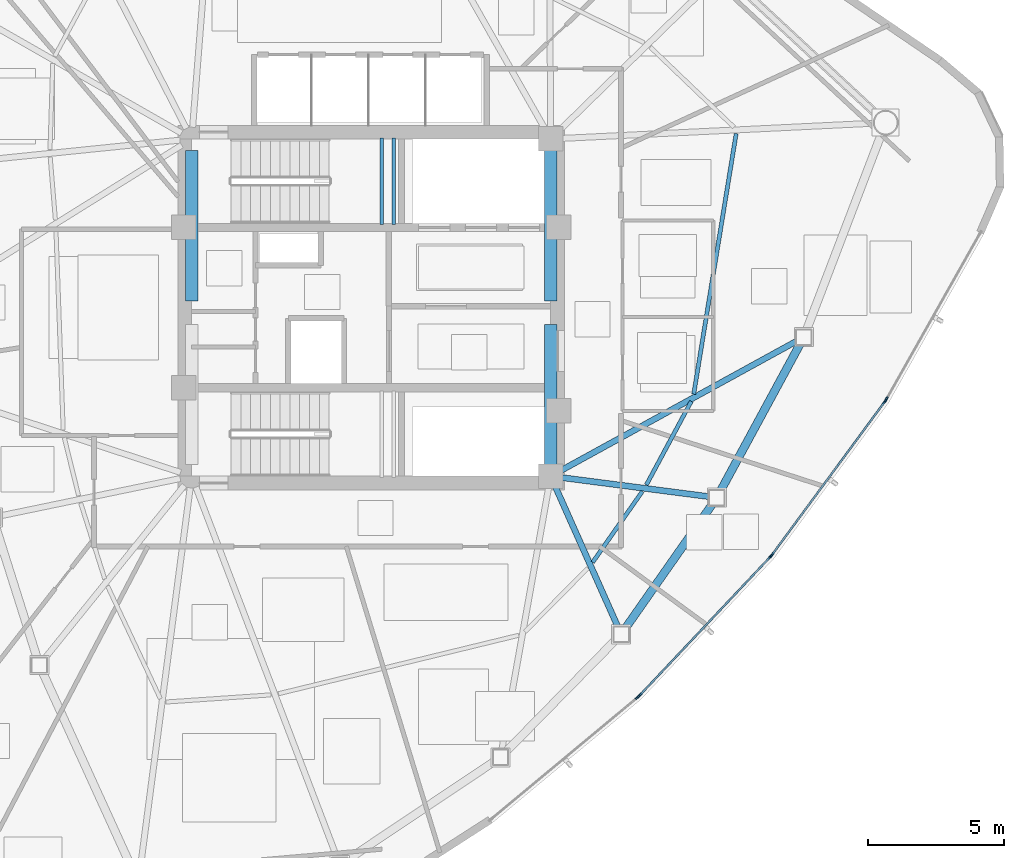
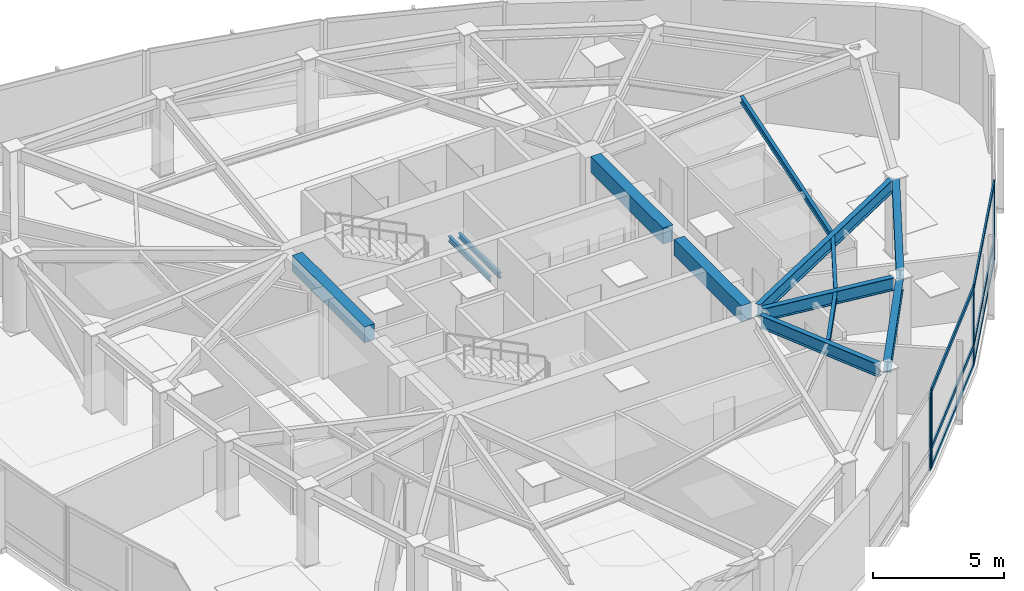
# One storey, part 5 of 15: 13 beams, 12 members, 4 elements without a shape of their own.
"""IFC4 building model written with IfcOpenShell, lengths in metres."""

from ifc_helpers import new_model, si_unit, direction, frame, origin, origin_2d, place, context, subcontext, project, spatial, rectangle, hollow_rectangle, i_section, extrude, source, transform, mapped, material, layer, layer_set, material_profile, profile_set, type_object, type_shapes, element, aggregate, save


model = new_model("IFC4")

# Units and contexts
model_context = context("Model", 3, precision=1e-05, world=origin(), true_north=direction((0.0, 1.0)))
body_context = subcontext(model_context, "Body", "Model", "MODEL_VIEW")
ifc_project = project(units=[si_unit("LENGTHUNIT", "METRE"), si_unit("AREAUNIT", "SQUARE_METRE"), si_unit("VOLUMEUNIT", "CUBIC_METRE"), si_unit("PLANEANGLEUNIT", "RADIAN"), si_unit("MASSUNIT", "GRAM", prefix="KILO")], contexts=[model_context])

# Site, building, storey
site_placement = place(None, origin())
site = spatial("IfcSite", under=ifc_project, at=site_placement, CompositionType="ELEMENT")
building_placement = place(site_placement, origin())
building = spatial("IfcBuilding", under=site, at=building_placement, Name="Tavelor Broadcast Tower", CompositionType="ELEMENT")
storey_placement = place(building_placement, frame((0.0, 0.0, 222.14990234375)))
storey = spatial("IfcBuildingStorey", under=building, at=storey_placement, Name="L52", CompositionType="ELEMENT", Elevation=222.14990234375)

# Beams
ifc_material_1 = material(Name="Concrete C40/50", Category="concrete")
ifc_material_profile_1 = material_profile(ifc_material_1, rectangle(XDim=0.449951171875, YDim=0.75, at=origin_2d()), Name="RC 450x750")
ifc_profile_set_1 = profile_set([ifc_material_profile_1], Name="Concrete C40/50")
beam_type_1 = type_object("IfcBeamType", Name="Basement Core Trim Beam 450x750", PredefinedType="BEAM", material=ifc_profile_set_1)
for number, where, z_axis, x_axis, name in (
    (1, (43.39990234375, 45.23193359375, 3.275146484375), (0.0, 1.0, 0.0), (-1.0, 0.0, 0.0), "L52 Core West-N Tie Girder"),
    (2, (56.60009765625, 45.23193359375, 3.275146484375), (0.0, 1.0, 0.0), (-1.0, 0.0, 0.0), "L52 Core East-N Tie Girder"),
):
    element("IfcBeam", number, at=place(storey_placement, frame(where, z_axis=z_axis, x_axis=x_axis)), inside=storey, type_object=beam_type_1, Name=name, PredefinedType="BEAM", context=body_context, shape_type="SweptSolid", body=[
        extrude(rectangle(XDim=0.449951171875, YDim=0.75, at=origin_2d()), origin(), (0.0, 0.0, 1.0), 5.5361328125),
    ])
beam_1_placement = place(storey_placement, frame((56.60009765625, 39.23193359375, 3.275146484375), z_axis=(0.0, 1.0, 0.0), x_axis=(-1.0, 0.0, 0.0)))
element("IfcBeam", 3, at=beam_1_placement, inside=storey, type_object=beam_type_1, Name="L52 Core East-S Tie Girder", PredefinedType="BEAM", context=body_context, shape_type="SweptSolid", body=[
    extrude(rectangle(XDim=0.449951171875, YDim=0.75, at=origin_2d()), origin(), (0.0, 0.0, 1.0), 5.135986328125),
])
ifc_material_2 = material(Name="Steel S355", Category="steel")
ifc_material_profile_2 = material_profile(ifc_material_2, i_section(OverallWidth=0.14990234375, OverallDepth=0.300048828125, WebThickness=0.007080078125, FlangeThickness=0.0107421875, at=origin_2d()), Name="IPE 300")
ifc_profile_set_2 = profile_set([ifc_material_profile_2], Name="Steel S355")
beam_type_2 = type_object("IfcBeamType", Name="Composite Floor Joist T5 IPE 300", PredefinedType="JOIST", material=ifc_profile_set_2)
beam_2_placement = place(storey_placement, frame((58.1435546875, 35.632568359375, 3.5), z_axis=(0.573982104788, 0.81886784244, 0.0), x_axis=(-0.81886784244, 0.573982104788, 0.0)))
element("IfcBeam", 4, at=beam_2_placement, inside=storey, type_object=beam_type_2, Name="L52 Secondary Composite Floor Joist 10", PredefinedType="JOIST", context=body_context, shape_type="SweptSolid", body=[
    extrude(i_section(OverallWidth=0.14990234375, OverallDepth=0.300048828125, WebThickness=0.007080078125, FlangeThickness=0.0107421875, at=origin_2d()), origin(), (0.0, 0.0, 1.0), 3.183349609375),
])
beam_3_placement = place(storey_placement, frame((60.11669921875, 38.476318359375, 3.5), z_axis=(0.473687126384, 0.880693196464, 0.0), x_axis=(-0.880693196464, 0.473687126384, 0.0)))
element("IfcBeam", 5, at=beam_3_placement, inside=storey, type_object=beam_type_2, Name="L52 Secondary Composite Floor Joist 11", PredefinedType="JOIST", context=body_context, shape_type="SweptSolid", body=[
    extrude(i_section(OverallWidth=0.14990234375, OverallDepth=0.300048828125, WebThickness=0.007080078125, FlangeThickness=0.0107421875, at=origin_2d()), origin(), (0.0, 0.0, 1.0), 3.492919921875),
])
beam_4_placement = place(storey_placement, frame((61.859619140625, 41.812744140625, 3.5), z_axis=(0.160809479217, 0.986985466658, 0.0), x_axis=(-0.986985466658, 0.160809479217, 0.0)))
element("IfcBeam", 6, at=beam_4_placement, inside=storey, type_object=beam_type_2, Name="L52 Secondary Composite Floor Joist 12", PredefinedType="JOIST", context=body_context, shape_type="SweptSolid", body=[
    extrude(i_section(OverallWidth=0.14990234375, OverallDepth=0.300048828125, WebThickness=0.007080078125, FlangeThickness=0.0107421875, at=origin_2d()), origin(), (0.0, 0.0, 1.0), 9.708984375),
])
ifc_material_profile_3 = material_profile(ifc_material_2, i_section(OverallWidth=0.300048828125, OverallDepth=0.489990234375, WebThickness=0.011962890625, FlangeThickness=0.02294921875, at=origin_2d()), Name="HEA 500")
ifc_profile_set_3 = profile_set([ifc_material_profile_3], Name="Steel S355")
beam_type_3 = type_object("IfcBeamType", Name="Perimeter Spandrel Beam T5 HEA 500", PredefinedType="SPANDREL", material=ifc_profile_set_3)
beam_5_placement = place(storey_placement, frame((59.357666015625, 33.222900390625, 3.405029296875), z_axis=(0.573798498873, 0.818996509572, 0.0), x_axis=(-0.818996509572, 0.573798498873, 0.0)))
element("IfcBeam", 7, at=beam_5_placement, inside=storey, type_object=beam_type_3, Name="L52 Framed-Tube Ring Spandrel 10", PredefinedType="SPANDREL", context=body_context, shape_type="SweptSolid", body=[
    extrude(i_section(OverallWidth=0.300048828125, OverallDepth=0.489990234375, WebThickness=0.011962890625, FlangeThickness=0.02294921875, at=origin_2d()), origin(), (0.0, 0.0, 1.0), 5.555908203125),
])
beam_6_placement = place(storey_placement, frame((62.84814453125, 38.26220703125, 3.405029296875), z_axis=(0.476295969148, 0.879285021921, 0.0), x_axis=(-0.879285021921, 0.476295969148, 0.0)))
element("IfcBeam", 8, at=beam_6_placement, inside=storey, type_object=beam_type_3, Name="L52 Framed-Tube Ring Spandrel 11", PredefinedType="SPANDREL", context=body_context, shape_type="SweptSolid", body=[
    extrude(i_section(OverallWidth=0.300048828125, OverallDepth=0.489990234375, WebThickness=0.011962890625, FlangeThickness=0.02294921875, at=origin_2d()), origin(), (0.0, 0.0, 1.0), 6.134521484375),
])
ifc_material_profile_4 = material_profile(ifc_material_2, i_section(OverallWidth=0.219970703125, OverallDepth=0.60009765625, WebThickness=0.011962890625, FlangeThickness=0.01904296875, at=origin_2d()), Name="IPE 600")
ifc_profile_set_4 = profile_set([ifc_material_profile_4], Name="Steel S355")
beam_type_4 = type_object("IfcBeamType", Name="Radial Floor Girder T5 IPE 600", PredefinedType="BEAM", material=ifc_profile_set_4)
beam_7_placement = place(storey_placement, frame((56.77587890625, 38.405517578125, 3.35009765625), z_axis=(0.407317885502, -0.913286450217, 0.0), x_axis=(0.913286450217, 0.407317885502, 0.0)))
element("IfcBeam", 9, at=beam_7_placement, inside=storey, type_object=beam_type_4, Name="L52 Radial Primary Floor Girder 10", PredefinedType="BEAM", context=body_context, shape_type="SweptSolid", body=[
    extrude(i_section(OverallWidth=0.219970703125, OverallDepth=0.60009765625, WebThickness=0.011962890625, FlangeThickness=0.01904296875, at=origin_2d()), origin(), (0.0, 0.0, 1.0), 5.64501953125),
])
beam_8_placement = place(storey_placement, frame((57.0283203125, 38.74462890625, 3.35009765625), z_axis=(0.991728752797, -0.12835139608, 0.0), x_axis=(0.12835139608, 0.991728752797, 0.0)))
element("IfcBeam", 10, at=beam_8_placement, inside=storey, type_object=beam_type_4, Name="L52 Radial Primary Floor Girder 11", PredefinedType="BEAM", context=body_context, shape_type="SweptSolid", body=[
    extrude(i_section(OverallWidth=0.219970703125, OverallDepth=0.60009765625, WebThickness=0.011962890625, FlangeThickness=0.01904296875, at=origin_2d()), origin(), (0.0, 0.0, 1.0), 5.44189453125),
])
beam_9_placement = place(storey_placement, frame((56.978759765625, 39.0078125, 3.35009765625), z_axis=(0.876594261461, 0.481230195201, 0.0), x_axis=(-0.481230195201, 0.876594261461, 0.0)))
element("IfcBeam", 11, at=beam_9_placement, inside=storey, type_object=beam_type_4, Name="L52 Radial Primary Floor Girder 12", PredefinedType="BEAM", context=body_context, shape_type="SweptSolid", body=[
    extrude(i_section(OverallWidth=0.219970703125, OverallDepth=0.60009765625, WebThickness=0.011962890625, FlangeThickness=0.01904296875, at=origin_2d()), origin(), (0.0, 0.0, 1.0), 9.8974609375),
])
ifc_material_profile_5 = material_profile(ifc_material_2, i_section(OverallWidth=0.1201171875, OverallDepth=0.239990234375, WebThickness=0.006103515625, FlangeThickness=0.009765625, at=origin_2d()), Name="IPE 240")
ifc_profile_set_5 = profile_set([ifc_material_profile_5], Name="Steel S355")
beam_type_5 = type_object("IfcBeamType", Name="Stairwell Landing Support Trimmer Beam IPE240", PredefinedType="BEAM", material=ifc_profile_set_5)
for number, where, z_axis, x_axis, name in (
    (12, (50.385009765625, 48.06005859375, 1.66015625), (0.0, 1.0, 0.0), (-1.0, 0.0, 0.0), "L52 Stair Landing Support Beam 145"),
    (13, (50.824951171875, 48.06005859375, 1.66015625), (0.0, 1.0, 0.0), (-1.0, 0.0, 0.0), "L52 Stair Landing Support Beam 146"),
):
    element("IfcBeam", number, at=place(storey_placement, frame(where, z_axis=z_axis, x_axis=x_axis)), inside=storey, type_object=beam_type_5, Name=name, PredefinedType="BEAM", context=body_context, shape_type="SweptSolid", body=[
        extrude(i_section(OverallWidth=0.1201171875, OverallDepth=0.239990234375, WebThickness=0.006103515625, FlangeThickness=0.009765625, at=origin_2d()), origin(), (0.0, 0.0, 1.0), 3.179931640625),
    ])

# Curtain wall, member
ifc_material_3 = material(Name="Architectural Anodized Aluminium", Category="aluminium")
ifc_layer = layer(ifc_material_3, 0.199951171875)
ifc_layer_set = layer_set([ifc_layer], Name="Architectural Anodized Aluminium")
curtain_wall_type = type_object("IfcCurtainWallType", Name="Tower High-Zone Triple-Glazed Curtain Wall CW04", PredefinedType="NOTDEFINED", material=ifc_layer_set)
curtain_wall_1_placement = place(storey_placement, origin())
curtain_wall_1 = element("IfcCurtainWall", 14, at=curtain_wall_1_placement, inside=storey, type_object=curtain_wall_type, Name="L52 Curtain Wall CW04 Run 557", PredefinedType="NOTDEFINED")
ifc_material_profile_6 = material_profile(ifc_material_3, hollow_rectangle(XDim=0.070068359375, YDim=0.199951171875, WallThickness=0.02197265625, at=origin_2d()), Name="RHS 70x200x22")
ifc_profile_set_6 = profile_set([ifc_material_profile_6], Name="Architectural Anodized Aluminium")
member_type_1 = type_object("IfcMemberType", Name="CW04 Extruded Aluminium Mullion 70x200", PredefinedType="MULLION", material=ifc_profile_set_6)
shared_shape_1 = source(origin(), body_context, "Body", "SweptSolid", [
    extrude(hollow_rectangle(XDim=0.070068359375, YDim=0.199951171875, WallThickness=0.02197265625, at=origin_2d()), origin(), (0.0, 0.0, 1.0), 3.650146484375),
])
type_shapes(member_type_1, [shared_shape_1])
member_1_placement = place(storey_placement, frame((59.793212890625, 30.664794921875, 0.0), z_axis=(0.0, 0.0, 1.0), x_axis=(-0.63910535915, 0.769119197463, 0.0)))
member_1 = element("IfcMember", 15, at=member_1_placement, type_object=member_type_1, Name="CW04 mullion 2", PredefinedType="MULLION", context=body_context, shape_type="MappedRepresentation", body=[
    mapped(shared_shape_1, transform((0.0, 0.0, 0.0), scale=1.0)),
])
aggregate(curtain_wall_1, [member_1])

# Curtain wall, members
curtain_wall_2_placement = place(storey_placement, origin())
curtain_wall_2 = element("IfcCurtainWall", 16, at=curtain_wall_2_placement, inside=storey, type_object=curtain_wall_type, Name="L52 Curtain Wall CW04 Run 558", PredefinedType="NOTDEFINED")
member_2_placement = place(storey_placement, frame((59.865966796875, 30.733154296875, 0.0), z_axis=(0.0, 0.0, 1.0), x_axis=(-0.727478080511, 0.686130922184, 0.0)))
member_2 = element("IfcMember", 17, at=member_2_placement, type_object=member_type_1, Name="CW04 mullion 1", PredefinedType="MULLION", context=body_context, shape_type="MappedRepresentation", body=[
    mapped(shared_shape_1, transform((0.0, 0.0, 0.0), scale=1.0)),
])
member_3_placement = place(storey_placement, frame((64.670166015625, 35.826904296875, 0.0), z_axis=(0.0, 0.0, 1.0), x_axis=(-0.727478080511, 0.686130922184, 0.0)))
member_3 = element("IfcMember", 18, at=member_3_placement, type_object=member_type_1, Name="CW04 mullion 2", PredefinedType="MULLION", context=body_context, shape_type="MappedRepresentation", body=[
    mapped(shared_shape_1, transform((0.0, 0.0, 0.0), scale=1.0)),
])

curtain_wall_3_placement = place(storey_placement, origin())
curtain_wall_3 = element("IfcCurtainWall", 19, at=curtain_wall_3_placement, inside=storey, type_object=curtain_wall_type, Name="L52 Curtain Wall CW04 Run 559", PredefinedType="NOTDEFINED")
member_4_placement = place(storey_placement, frame((64.734130859375, 35.903564453125, 0.0), z_axis=(0.0, 0.0, 1.0), x_axis=(-0.805162449623, 0.593054322738, 0.0)))
member_4 = element("IfcMember", 20, at=member_4_placement, type_object=member_type_1, Name="CW04 mullion 1", PredefinedType="MULLION", context=body_context, shape_type="MappedRepresentation", body=[
    mapped(shared_shape_1, transform((0.0, 0.0, 0.0), scale=1.0)),
])
member_5_placement = place(storey_placement, frame((68.88671875, 41.541015625, 0.0), z_axis=(0.0, 0.0, 1.0), x_axis=(-0.805162449623, 0.593054322738, 0.0)))
member_5 = element("IfcMember", 21, at=member_5_placement, type_object=member_type_1, Name="CW04 mullion 2", PredefinedType="MULLION", context=body_context, shape_type="MappedRepresentation", body=[
    mapped(shared_shape_1, transform((0.0, 0.0, 0.0), scale=1.0)),
])

# Curtain wall, member
curtain_wall_4_placement = place(storey_placement, origin())
curtain_wall_4 = element("IfcCurtainWall", 22, at=curtain_wall_4_placement, inside=storey, type_object=curtain_wall_type, Name="L52 Curtain Wall CW04 Run 560", PredefinedType="NOTDEFINED")
member_6_placement = place(storey_placement, frame((68.94091796875, 41.625, 0.0), z_axis=(0.0, 0.0, 1.0), x_axis=(-0.871017322111, 0.491252302369, 0.0)))
member_6 = element("IfcMember", 23, at=member_6_placement, type_object=member_type_1, Name="CW04 mullion 1", PredefinedType="MULLION", context=body_context, shape_type="MappedRepresentation", body=[
    mapped(shared_shape_1, transform((0.0, 0.0, 0.0), scale=1.0)),
])
aggregate(curtain_wall_4, [member_6])

# Member
ifc_material_profile_7 = material_profile(ifc_material_3, hollow_rectangle(XDim=0.070068359375, YDim=0.199951171875, WallThickness=0.02197265625, at=origin_2d()), Name="RHS 70x200x22")
ifc_profile_set_7 = profile_set([ifc_material_profile_7], Name="Architectural Anodized Aluminium")
member_type_2 = type_object("IfcMemberType", Name="CW04 Extruded Aluminium Transom 70x200", PredefinedType="USERDEFINED", material=ifc_profile_set_7)
shared_shape_2 = source(origin(), body_context, "Body", "SweptSolid", [
    extrude(hollow_rectangle(XDim=0.070068359375, YDim=0.199951171875, WallThickness=0.02197265625, at=origin_2d()), origin(), (0.0, 0.0, 1.0), 6.931884765625),
])
type_shapes(member_type_2, [shared_shape_2])
member_7_placement = place(storey_placement, frame((59.89013671875, 30.758544921875, 0.03515625), z_axis=(0.686130058429, 0.727478895172, 0.0), x_axis=(-0.727478895172, 0.686130058429, 0.0)))
member_7 = element("IfcMember", 24, at=member_7_placement, type_object=member_type_2, Name="CW04 transom 1.1", ObjectType="TRANSOM", PredefinedType="USERDEFINED", context=body_context, shape_type="MappedRepresentation", body=[
    mapped(shared_shape_2, transform((0.0, 0.0, 0.0), scale=1.0)),
])

member_8_placement = place(storey_placement, frame((59.89013671875, 30.758544921875, 0.9501953125), z_axis=(0.686130058429, 0.727478895172, 0.0), x_axis=(-0.727478895172, 0.686130058429, 0.0)))
member_8 = element("IfcMember", 25, at=member_8_placement, type_object=member_type_2, Name="CW04 transom 1.2", ObjectType="TRANSOM", PredefinedType="USERDEFINED", context=body_context, shape_type="MappedRepresentation", body=[
    mapped(shared_shape_2, transform((0.0, 0.0, 0.0), scale=1.0)),
])

member_9_placement = place(storey_placement, frame((59.89013671875, 30.758544921875, 3.614990234375), z_axis=(0.686130058429, 0.727478895172, 0.0), x_axis=(-0.727478895172, 0.686130058429, 0.0)))
member_9 = element("IfcMember", 26, at=member_9_placement, type_object=member_type_2, Name="CW04 transom 1.3", ObjectType="TRANSOM", PredefinedType="USERDEFINED", context=body_context, shape_type="MappedRepresentation", body=[
    mapped(shared_shape_2, transform((0.0, 0.0, 0.0), scale=1.0)),
])

aggregate(curtain_wall_2, [member_2, member_3, member_7, member_8, member_9])

member_10_placement = place(storey_placement, frame((64.7548828125, 35.931640625, 0.03515625), z_axis=(0.593063272819, 0.805155857231, 0.0), x_axis=(-0.805155857231, 0.593063272819, 0.0)))
member_10 = element("IfcMember", 27, at=member_10_placement, type_object=member_type_2, Name="CW04 transom 1.1", ObjectType="TRANSOM", PredefinedType="USERDEFINED", context=body_context, shape_type="MappedRepresentation", body=[
    mapped(shared_shape_2, transform((0.0, 0.0, 0.0), scale=1.0)),
])

member_11_placement = place(storey_placement, frame((64.7548828125, 35.931640625, 0.9501953125), z_axis=(0.593063272819, 0.805155857231, 0.0), x_axis=(-0.805155857231, 0.593063272819, 0.0)))
member_11 = element("IfcMember", 28, at=member_11_placement, type_object=member_type_2, Name="CW04 transom 1.2", ObjectType="TRANSOM", PredefinedType="USERDEFINED", context=body_context, shape_type="MappedRepresentation", body=[
    mapped(shared_shape_2, transform((0.0, 0.0, 0.0), scale=1.0)),
])

member_12_placement = place(storey_placement, frame((64.7548828125, 35.931640625, 3.614990234375), z_axis=(0.593063272819, 0.805155857231, 0.0), x_axis=(-0.805155857231, 0.593063272819, 0.0)))
member_12 = element("IfcMember", 29, at=member_12_placement, type_object=member_type_2, Name="CW04 transom 1.3", ObjectType="TRANSOM", PredefinedType="USERDEFINED", context=body_context, shape_type="MappedRepresentation", body=[
    mapped(shared_shape_2, transform((0.0, 0.0, 0.0), scale=1.0)),
])

aggregate(curtain_wall_3, [member_4, member_5, member_10, member_11, member_12])

save(model, "model.ifc")
